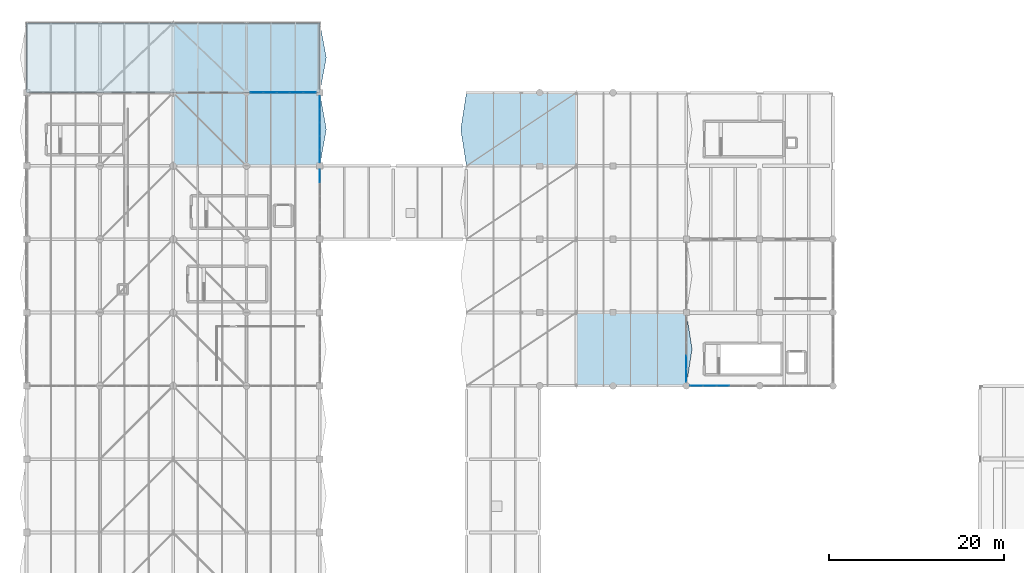
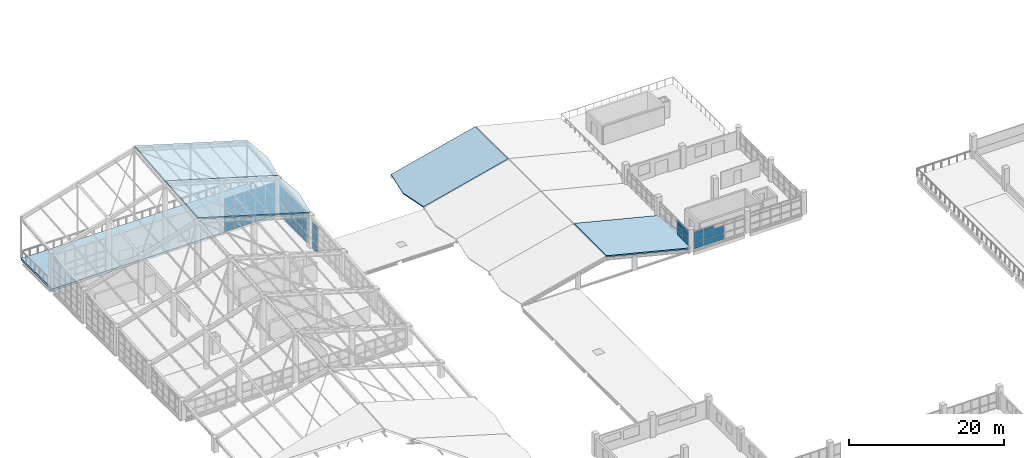
# One storey, part 70 of 95: 58 plates, 5 slabs, 5 elements without a shape of their own.
"""IFC4 building model written with IfcOpenShell, lengths in metres."""

from ifc_helpers import new_model, si_unit, direction, frame, origin, origin_2d, place, context, subcontext, project, spatial, polyline, rectangle, outline, extrude, material, layer, layer_set, type_object, element, aggregate, save


model = new_model("IFC4")

# Units and contexts
model_context = context("Model", 3, precision=1e-05, world=origin(), true_north=direction((0.0, 1.0)))
body_context = subcontext(model_context, "Body", "Model", "MODEL_VIEW")
ifc_project = project(units=[si_unit("LENGTHUNIT", "METRE"), si_unit("AREAUNIT", "SQUARE_METRE"), si_unit("VOLUMEUNIT", "CUBIC_METRE"), si_unit("PLANEANGLEUNIT", "RADIAN"), si_unit("MASSUNIT", "GRAM", prefix="KILO"), si_unit("THERMODYNAMICTEMPERATUREUNIT", "KELVIN"), si_unit("POWERUNIT", "WATT")], contexts=[model_context])

# Site, building, storey
site_placement = place(None, origin())
site = spatial("IfcSite", under=ifc_project, at=site_placement, CompositionType="ELEMENT")
building_placement = place(site_placement, origin())
building = spatial("IfcBuilding", under=site, at=building_placement, Name="Mavoryth Pier Ferry Terminal", CompositionType="ELEMENT")
storey_placement = place(building_placement, frame((0.0, 0.0, 9.60009765625)))
storey = spatial("IfcBuildingStorey", under=building, at=storey_placement, Name="L02", CompositionType="ELEMENT", Elevation=9.60009765625)

# Curtain wall, plates
ifc_material_1 = material(Name="Anodised Aluminium and Solar-Control Low-E Glass", Category="aluminium")
ifc_layer_1 = layer(ifc_material_1, 0.159912109375, Name="Anodised Aluminium and Solar-Control Low-E Glass", Category="aluminium")
ifc_layer_set_1 = layer_set([ifc_layer_1], Name="Anodised Aluminium and Solar-Control Low-E Glass - CW-Arrivals-Mod1400")
curtain_wall_type_1 = type_object("IfcCurtainWallType", Name="CW-Arrivals-Mod1400", PredefinedType="USERDEFINED", material=ifc_layer_set_1)
curtain_wall_1_placement = place(storey_placement, origin())
curtain_wall_1 = element("IfcCurtainWall", 1, at=curtain_wall_1_placement, inside=storey, type_object=curtain_wall_type_1, Name="Curtain Wall CW-0222-072", ObjectType="UNITISED CURTAIN WALL", PredefinedType="USERDEFINED")
ifc_material_2 = material(Name="Solar-Control Low-E Laminated Double Glazing", Category="glass")
ifc_layer_2 = layer(ifc_material_2, 0.02392578125, Name="Solar-Control Low-E Laminated Double Glazing", Category="glass")
ifc_layer_set_2 = layer_set([ifc_layer_2], Name="Solar-Control Low-E Laminated Double Glazing - Panel-LowE-DGU-24")
plate_type_1 = type_object("IfcPlateType", Name="Panel-LowE-DGU-24", PredefinedType="CURTAIN_PANEL", material=ifc_layer_set_2)
plate_1_placement = place(storey_placement, frame((75.60009765625, 75.087890625, 0.059814453125), z_axis=(0.0, 0.0, 1.0), x_axis=(0.0, -1.0, 0.0)))
plate_1 = element("IfcPlate", 2, at=plate_1_placement, type_object=plate_type_1, Name="CW04 panel 4.1", PredefinedType="CURTAIN_PANEL", context=body_context, shape_type="SweptSolid", body=[
    extrude(rectangle(XDim=1.471923828125, YDim=0.02392578125, at=origin_2d()), origin(), (0.0, 0.0, 1.0), 0.9599609375),
])
plate_2_placement = place(storey_placement, frame((75.60009765625, 75.087890625, 1.080078125), z_axis=(0.0, 0.0, 1.0), x_axis=(0.0, -1.0, 0.0)))
plate_2 = element("IfcPlate", 3, at=plate_2_placement, type_object=plate_type_1, Name="CW04 panel 4.2", PredefinedType="CURTAIN_PANEL", context=body_context, shape_type="SweptSolid", body=[
    extrude(rectangle(XDim=1.471923828125, YDim=0.02392578125, at=origin_2d()), origin(), (0.0, 0.0, 1.0), 1.139892578125),
])
plate_3_placement = place(storey_placement, frame((75.60009765625, 75.087890625, 2.27978515625), z_axis=(0.0, 0.0, 1.0), x_axis=(0.0, -1.0, 0.0)))
plate_3 = element("IfcPlate", 4, at=plate_3_placement, type_object=plate_type_1, Name="CW04 panel 4.3", PredefinedType="CURTAIN_PANEL", context=body_context, shape_type="SweptSolid", body=[
    extrude(rectangle(XDim=1.471923828125, YDim=0.02392578125, at=origin_2d()), origin(), (0.0, 0.0, 1.0), 0.465087890625),
])
plate_4_placement = place(storey_placement, frame((75.60009765625, 73.571044921875, 0.059814453125), z_axis=(0.0, 0.0, 1.0), x_axis=(0.0, -1.0, 0.0)))
plate_4 = element("IfcPlate", 5, at=plate_4_placement, type_object=plate_type_1, Name="CW04 panel 5.1", PredefinedType="CURTAIN_PANEL", context=body_context, shape_type="SweptSolid", body=[
    extrude(rectangle(XDim=1.44189453125, YDim=0.02392578125, at=origin_2d()), origin(), (0.0, 0.0, 1.0), 0.9599609375),
])
plate_5_placement = place(storey_placement, frame((75.60009765625, 73.571044921875, 1.080078125), z_axis=(0.0, 0.0, 1.0), x_axis=(0.0, -1.0, 0.0)))
plate_5 = element("IfcPlate", 6, at=plate_5_placement, type_object=plate_type_1, Name="CW04 panel 5.2", PredefinedType="CURTAIN_PANEL", context=body_context, shape_type="SweptSolid", body=[
    extrude(rectangle(XDim=1.44189453125, YDim=0.02392578125, at=origin_2d()), origin(), (0.0, 0.0, 1.0), 1.139892578125),
])
plate_6_placement = place(storey_placement, frame((75.60009765625, 73.571044921875, 2.27978515625), z_axis=(0.0, 0.0, 1.0), x_axis=(0.0, -1.0, 0.0)))
plate_6 = element("IfcPlate", 7, at=plate_6_placement, type_object=plate_type_1, Name="CW04 panel 5.3", PredefinedType="CURTAIN_PANEL", context=body_context, shape_type="SweptSolid", body=[
    extrude(rectangle(XDim=1.44189453125, YDim=0.02392578125, at=origin_2d()), origin(), (0.0, 0.0, 1.0), 0.465087890625),
])
aggregate(curtain_wall_1, [plate_1, plate_2, plate_3, plate_4, plate_5, plate_6])

curtain_wall_2_placement = place(storey_placement, origin())
curtain_wall_2 = element("IfcCurtainWall", 8, at=curtain_wall_2_placement, inside=storey, type_object=curtain_wall_type_1, Name="Curtain Wall CW-0222-075", ObjectType="UNITISED CURTAIN WALL", PredefinedType="USERDEFINED")
plate_7_placement = place(storey_placement, frame((76.76708984375, 72.39990234375, 0.059814453125), z_axis=(0.0, 0.0, 1.0), x_axis=(1.0, 0.0, 0.0)))
plate_7 = element("IfcPlate", 9, at=plate_7_placement, type_object=plate_type_1, Name="CW04 panel 1.1", PredefinedType="CURTAIN_PANEL", context=body_context, shape_type="SweptSolid", body=[
    extrude(rectangle(XDim=1.43408203125, YDim=0.02392578125, at=origin_2d()), origin(), (0.0, 0.0, 1.0), 0.9599609375),
])
plate_8_placement = place(storey_placement, frame((76.76708984375, 72.39990234375, 1.080078125), z_axis=(0.0, 0.0, 1.0), x_axis=(1.0, 0.0, 0.0)))
plate_8 = element("IfcPlate", 10, at=plate_8_placement, type_object=plate_type_1, Name="CW04 panel 1.2", PredefinedType="CURTAIN_PANEL", context=body_context, shape_type="SweptSolid", body=[
    extrude(rectangle(XDim=1.43408203125, YDim=0.02392578125, at=origin_2d()), origin(), (0.0, 0.0, 1.0), 1.139892578125),
])
plate_9_placement = place(storey_placement, frame((76.76708984375, 72.39990234375, 2.27978515625), z_axis=(0.0, 0.0, 1.0), x_axis=(1.0, 0.0, 0.0)))
plate_9 = element("IfcPlate", 11, at=plate_9_placement, type_object=plate_type_1, Name="CW04 panel 1.3", PredefinedType="CURTAIN_PANEL", context=body_context, shape_type="SweptSolid", body=[
    extrude(rectangle(XDim=1.43408203125, YDim=0.02392578125, at=origin_2d()), origin(), (0.0, 0.0, 1.0), 0.465087890625),
])
plate_10_placement = place(storey_placement, frame((78.27587890625, 72.39990234375, 0.059814453125), z_axis=(0.0, 0.0, 1.0), x_axis=(1.0, 0.0, 0.0)))
plate_10 = element("IfcPlate", 12, at=plate_10_placement, type_object=plate_type_1, Name="CW04 panel 2.1", PredefinedType="CURTAIN_PANEL", context=body_context, shape_type="SweptSolid", body=[
    extrude(rectangle(XDim=1.464111328125, YDim=0.02392578125, at=origin_2d()), origin(), (0.0, 0.0, 1.0), 0.9599609375),
])
plate_11_placement = place(storey_placement, frame((78.27587890625, 72.39990234375, 1.080078125), z_axis=(0.0, 0.0, 1.0), x_axis=(1.0, 0.0, 0.0)))
plate_11 = element("IfcPlate", 13, at=plate_11_placement, type_object=plate_type_1, Name="CW04 panel 2.2", PredefinedType="CURTAIN_PANEL", context=body_context, shape_type="SweptSolid", body=[
    extrude(rectangle(XDim=1.464111328125, YDim=0.02392578125, at=origin_2d()), origin(), (0.0, 0.0, 1.0), 1.139892578125),
])
plate_12_placement = place(storey_placement, frame((78.27587890625, 72.39990234375, 2.27978515625), z_axis=(0.0, 0.0, 1.0), x_axis=(1.0, 0.0, 0.0)))
plate_12 = element("IfcPlate", 14, at=plate_12_placement, type_object=plate_type_1, Name="CW04 panel 2.3", PredefinedType="CURTAIN_PANEL", context=body_context, shape_type="SweptSolid", body=[
    extrude(rectangle(XDim=1.464111328125, YDim=0.02392578125, at=origin_2d()), origin(), (0.0, 0.0, 1.0), 0.465087890625),
])
plate_13_placement = place(storey_placement, frame((79.800048828125, 72.39990234375, 0.059814453125), z_axis=(0.0, 0.0, 1.0), x_axis=(1.0, 0.0, 0.0)))
plate_13 = element("IfcPlate", 15, at=plate_13_placement, type_object=plate_type_1, Name="CW04 panel 3.1", PredefinedType="CURTAIN_PANEL", context=body_context, shape_type="SweptSolid", body=[
    extrude(rectangle(XDim=1.464111328125, YDim=0.02392578125, at=origin_2d()), origin(), (0.0, 0.0, 1.0), 0.9599609375),
])
plate_14_placement = place(storey_placement, frame((79.800048828125, 72.39990234375, 1.080078125), z_axis=(0.0, 0.0, 1.0), x_axis=(1.0, 0.0, 0.0)))
plate_14 = element("IfcPlate", 16, at=plate_14_placement, type_object=plate_type_1, Name="CW04 panel 3.2", PredefinedType="CURTAIN_PANEL", context=body_context, shape_type="SweptSolid", body=[
    extrude(rectangle(XDim=1.464111328125, YDim=0.02392578125, at=origin_2d()), origin(), (0.0, 0.0, 1.0), 1.139892578125),
])
aggregate(curtain_wall_2, [plate_7, plate_8, plate_9, plate_10, plate_11, plate_12, plate_13, plate_14])

ifc_layer_3 = layer(ifc_material_1, 0.179931640625, Name="Anodised Aluminium and Solar-Control Low-E Glass", Category="aluminium")
ifc_layer_set_3 = layer_set([ifc_layer_3], Name="Anodised Aluminium and Solar-Control Low-E Glass - CW-Concourse-Mod1400")
curtain_wall_type_2 = type_object("IfcCurtainWallType", Name="CW-Concourse-Mod1400", PredefinedType="USERDEFINED", material=ifc_layer_set_3)
curtain_wall_3_placement = place(storey_placement, origin())
curtain_wall_3 = element("IfcCurtainWall", 17, at=curtain_wall_3_placement, inside=storey, type_object=curtain_wall_type_2, Name="Curtain Wall CW-0222-029", ObjectType="UNITISED CURTAIN WALL", PredefinedType="USERDEFINED")
ifc_material_3 = material(Name="Acoustic Solar-Control Triple-Laminated Glazing", Category="glass")
ifc_layer_4 = layer(ifc_material_3, 0.033935546875, Name="Acoustic Solar-Control Triple-Laminated Glazing", Category="glass")
ifc_layer_set_4 = layer_set([ifc_layer_4], Name="Acoustic Solar-Control Triple-Laminated Glazing - Panel-LowE-DGU-34")
plate_type_2 = type_object("IfcPlateType", Name="Panel-LowE-DGU-34", PredefinedType="CURTAIN_PANEL", material=ifc_layer_set_4)
plate_15_placement = place(storey_placement, frame((33.60009765625, 96.445068359375, 0.059814453125), z_axis=(0.0, 0.0, 1.0), x_axis=(0.0, 1.0, 0.0)))
plate_15 = element("IfcPlate", 18, at=plate_15_placement, type_object=plate_type_2, Name="CW01 panel 5.1", PredefinedType="CURTAIN_PANEL", context=body_context, shape_type="SweptSolid", body=[
    extrude(rectangle(XDim=1.43994140625, YDim=0.033935546875, at=origin_2d()), origin(), (0.0, 0.0, 1.0), 0.9599609375),
])
plate_16_placement = place(storey_placement, frame((33.60009765625, 96.445068359375, 1.080078125), z_axis=(0.0, 0.0, 1.0), x_axis=(0.0, 1.0, 0.0)))
plate_16 = element("IfcPlate", 19, at=plate_16_placement, type_object=plate_type_2, Name="CW01 panel 5.2", PredefinedType="CURTAIN_PANEL", context=body_context, shape_type="SweptSolid", body=[
    extrude(rectangle(XDim=1.43994140625, YDim=0.033935546875, at=origin_2d()), origin(), (0.0, 0.0, 1.0), 1.139892578125),
])
plate_17_placement = place(storey_placement, frame((33.60009765625, 96.445068359375, 2.27978515625), z_axis=(0.0, 0.0, 1.0), x_axis=(0.0, 1.0, 0.0)))
plate_17 = element("IfcPlate", 20, at=plate_17_placement, type_object=plate_type_2, Name="CW01 panel 5.3", PredefinedType="CURTAIN_PANEL", context=body_context, shape_type="SweptSolid", body=[
    extrude(rectangle(XDim=1.43994140625, YDim=0.033935546875, at=origin_2d()), origin(), (0.0, 0.0, 1.0), 0.989990234375),
])
plate_18_placement = place(storey_placement, frame((33.60009765625, 96.445068359375, 3.330078125), z_axis=(0.0, 0.0, 1.0), x_axis=(0.0, 1.0, 0.0)))
plate_18 = element("IfcPlate", 21, at=plate_18_placement, type_object=plate_type_2, Name="CW01 panel 5.4", PredefinedType="CURTAIN_PANEL", context=body_context, shape_type="SweptSolid", body=[
    extrude(rectangle(XDim=1.43994140625, YDim=0.033935546875, at=origin_2d()), origin(), (0.0, 0.0, 1.0), 0.831787109375),
])
aggregate(curtain_wall_3, [plate_15, plate_16, plate_17, plate_18])

curtain_wall_4_placement = place(storey_placement, origin())
curtain_wall_4 = element("IfcCurtainWall", 22, at=curtain_wall_4_placement, inside=storey, type_object=curtain_wall_type_2, Name="Curtain Wall CW-0222-035", ObjectType="UNITISED CURTAIN WALL", PredefinedType="USERDEFINED")
plate_19_placement = place(storey_placement, frame((33.60009765625, 98.7548828125, 0.059814453125), z_axis=(0.0, 0.0, 1.0), x_axis=(0.0, 1.0, 0.0)))
plate_19 = element("IfcPlate", 23, at=plate_19_placement, type_object=plate_type_2, Name="CW01 panel 1.1", PredefinedType="CURTAIN_PANEL", context=body_context, shape_type="SweptSolid", body=[
    extrude(rectangle(XDim=1.43994140625, YDim=0.033935546875, at=origin_2d()), origin(), (0.0, 0.0, 1.0), 0.9599609375),
])
plate_20_placement = place(storey_placement, frame((33.60009765625, 98.7548828125, 1.080078125), z_axis=(0.0, 0.0, 1.0), x_axis=(0.0, 1.0, 0.0)))
plate_20 = element("IfcPlate", 24, at=plate_20_placement, type_object=plate_type_2, Name="CW01 panel 1.2", PredefinedType="CURTAIN_PANEL", context=body_context, shape_type="SweptSolid", body=[
    extrude(rectangle(XDim=1.43994140625, YDim=0.033935546875, at=origin_2d()), origin(), (0.0, 0.0, 1.0), 1.139892578125),
])
plate_21_placement = place(storey_placement, frame((33.60009765625, 98.7548828125, 2.27978515625), z_axis=(0.0, 0.0, 1.0), x_axis=(0.0, 1.0, 0.0)))
plate_21 = element("IfcPlate", 25, at=plate_21_placement, type_object=plate_type_2, Name="CW01 panel 1.3", PredefinedType="CURTAIN_PANEL", context=body_context, shape_type="SweptSolid", body=[
    extrude(rectangle(XDim=1.43994140625, YDim=0.033935546875, at=origin_2d()), origin(), (0.0, 0.0, 1.0), 0.989990234375),
])
plate_22_placement = place(storey_placement, frame((33.60009765625, 98.7548828125, 3.330078125), z_axis=(0.0, 0.0, 1.0), x_axis=(0.0, 1.0, 0.0)))
plate_22 = element("IfcPlate", 26, at=plate_22_placement, type_object=plate_type_2, Name="CW01 panel 1.4", PredefinedType="CURTAIN_PANEL", context=body_context, shape_type="SweptSolid", body=[
    extrude(rectangle(XDim=1.43994140625, YDim=0.033935546875, at=origin_2d()), origin(), (0.0, 0.0, 1.0), 1.546142578125),
])
plate_23_placement = place(storey_placement, frame((33.60009765625, 100.27001953125, 0.059814453125), z_axis=(0.0, 0.0, 1.0), x_axis=(0.0, 1.0, 0.0)))
plate_23 = element("IfcPlate", 27, at=plate_23_placement, type_object=plate_type_2, Name="CW01 panel 2.1", PredefinedType="CURTAIN_PANEL", context=body_context, shape_type="SweptSolid", body=[
    extrude(rectangle(XDim=1.469970703125, YDim=0.033935546875, at=origin_2d()), origin(), (0.0, 0.0, 1.0), 0.9599609375),
])
plate_24_placement = place(storey_placement, frame((33.60009765625, 100.27001953125, 1.080078125), z_axis=(0.0, 0.0, 1.0), x_axis=(0.0, 1.0, 0.0)))
plate_24 = element("IfcPlate", 28, at=plate_24_placement, type_object=plate_type_2, Name="CW01 panel 2.2", PredefinedType="CURTAIN_PANEL", context=body_context, shape_type="SweptSolid", body=[
    extrude(rectangle(XDim=1.469970703125, YDim=0.033935546875, at=origin_2d()), origin(), (0.0, 0.0, 1.0), 1.139892578125),
])
plate_25_placement = place(storey_placement, frame((33.60009765625, 100.27001953125, 2.27978515625), z_axis=(0.0, 0.0, 1.0), x_axis=(0.0, 1.0, 0.0)))
plate_25 = element("IfcPlate", 29, at=plate_25_placement, type_object=plate_type_2, Name="CW01 panel 2.3", PredefinedType="CURTAIN_PANEL", context=body_context, shape_type="SweptSolid", body=[
    extrude(rectangle(XDim=1.469970703125, YDim=0.033935546875, at=origin_2d()), origin(), (0.0, 0.0, 1.0), 0.989990234375),
])
plate_26_placement = place(storey_placement, frame((33.60009765625, 100.27001953125, 3.330078125), z_axis=(0.0, 0.0, 1.0), x_axis=(0.0, 1.0, 0.0)))
plate_26 = element("IfcPlate", 30, at=plate_26_placement, type_object=plate_type_2, Name="CW01 panel 2.4", PredefinedType="CURTAIN_PANEL", context=body_context, shape_type="SweptSolid", body=[
    extrude(rectangle(XDim=1.469970703125, YDim=0.033935546875, at=origin_2d()), origin(), (0.0, 0.0, 1.0), 1.546142578125),
])
plate_27_placement = place(storey_placement, frame((33.60009765625, 101.800048828125, 0.059814453125), z_axis=(0.0, 0.0, 1.0), x_axis=(0.0, 1.0, 0.0)))
plate_27 = element("IfcPlate", 31, at=plate_27_placement, type_object=plate_type_2, Name="CW01 panel 3.1", PredefinedType="CURTAIN_PANEL", context=body_context, shape_type="SweptSolid", body=[
    extrude(rectangle(XDim=1.469970703125, YDim=0.033935546875, at=origin_2d()), origin(), (0.0, 0.0, 1.0), 0.9599609375),
])
plate_28_placement = place(storey_placement, frame((33.60009765625, 101.800048828125, 1.080078125), z_axis=(0.0, 0.0, 1.0), x_axis=(0.0, 1.0, 0.0)))
plate_28 = element("IfcPlate", 32, at=plate_28_placement, type_object=plate_type_2, Name="CW01 panel 3.2", PredefinedType="CURTAIN_PANEL", context=body_context, shape_type="SweptSolid", body=[
    extrude(rectangle(XDim=1.469970703125, YDim=0.033935546875, at=origin_2d()), origin(), (0.0, 0.0, 1.0), 1.139892578125),
])
plate_29_placement = place(storey_placement, frame((33.60009765625, 101.800048828125, 2.27978515625), z_axis=(0.0, 0.0, 1.0), x_axis=(0.0, 1.0, 0.0)))
plate_29 = element("IfcPlate", 33, at=plate_29_placement, type_object=plate_type_2, Name="CW01 panel 3.3", PredefinedType="CURTAIN_PANEL", context=body_context, shape_type="SweptSolid", body=[
    extrude(rectangle(XDim=1.469970703125, YDim=0.033935546875, at=origin_2d()), origin(), (0.0, 0.0, 1.0), 0.989990234375),
])
plate_30_placement = place(storey_placement, frame((33.60009765625, 101.800048828125, 3.330078125), z_axis=(0.0, 0.0, 1.0), x_axis=(0.0, 1.0, 0.0)))
plate_30 = element("IfcPlate", 34, at=plate_30_placement, type_object=plate_type_2, Name="CW01 panel 3.4", PredefinedType="CURTAIN_PANEL", context=body_context, shape_type="SweptSolid", body=[
    extrude(rectangle(XDim=1.469970703125, YDim=0.033935546875, at=origin_2d()), origin(), (0.0, 0.0, 1.0), 1.546142578125),
])
plate_31_placement = place(storey_placement, frame((33.60009765625, 103.330078125, 0.059814453125), z_axis=(0.0, 0.0, 1.0), x_axis=(0.0, 1.0, 0.0)))
plate_31 = element("IfcPlate", 35, at=plate_31_placement, type_object=plate_type_2, Name="CW01 panel 4.1", PredefinedType="CURTAIN_PANEL", context=body_context, shape_type="SweptSolid", body=[
    extrude(rectangle(XDim=1.469970703125, YDim=0.033935546875, at=origin_2d()), origin(), (0.0, 0.0, 1.0), 0.9599609375),
])
plate_32_placement = place(storey_placement, frame((33.60009765625, 103.330078125, 1.080078125), z_axis=(0.0, 0.0, 1.0), x_axis=(0.0, 1.0, 0.0)))
plate_32 = element("IfcPlate", 36, at=plate_32_placement, type_object=plate_type_2, Name="CW01 panel 4.2", PredefinedType="CURTAIN_PANEL", context=body_context, shape_type="SweptSolid", body=[
    extrude(rectangle(XDim=1.469970703125, YDim=0.033935546875, at=origin_2d()), origin(), (0.0, 0.0, 1.0), 1.139892578125),
])
plate_33_placement = place(storey_placement, frame((33.60009765625, 103.330078125, 2.27978515625), z_axis=(0.0, 0.0, 1.0), x_axis=(0.0, 1.0, 0.0)))
plate_33 = element("IfcPlate", 37, at=plate_33_placement, type_object=plate_type_2, Name="CW01 panel 4.3", PredefinedType="CURTAIN_PANEL", context=body_context, shape_type="SweptSolid", body=[
    extrude(rectangle(XDim=1.469970703125, YDim=0.033935546875, at=origin_2d()), origin(), (0.0, 0.0, 1.0), 0.989990234375),
])
plate_34_placement = place(storey_placement, frame((33.60009765625, 103.330078125, 3.330078125), z_axis=(0.0, 0.0, 1.0), x_axis=(0.0, 1.0, 0.0)))
plate_34 = element("IfcPlate", 38, at=plate_34_placement, type_object=plate_type_2, Name="CW01 panel 4.4", PredefinedType="CURTAIN_PANEL", context=body_context, shape_type="SweptSolid", body=[
    extrude(rectangle(XDim=1.469970703125, YDim=0.033935546875, at=origin_2d()), origin(), (0.0, 0.0, 1.0), 1.546142578125),
])
plate_35_placement = place(storey_placement, frame((33.60009765625, 104.844970703125, 0.059814453125), z_axis=(0.0, 0.0, 1.0), x_axis=(0.0, 1.0, 0.0)))
plate_35 = element("IfcPlate", 39, at=plate_35_placement, type_object=plate_type_2, Name="CW01 panel 5.1", PredefinedType="CURTAIN_PANEL", context=body_context, shape_type="SweptSolid", body=[
    extrude(rectangle(XDim=1.43994140625, YDim=0.033935546875, at=origin_2d()), origin(), (0.0, 0.0, 1.0), 0.9599609375),
])
plate_36_placement = place(storey_placement, frame((33.60009765625, 104.844970703125, 1.080078125), z_axis=(0.0, 0.0, 1.0), x_axis=(0.0, 1.0, 0.0)))
plate_36 = element("IfcPlate", 40, at=plate_36_placement, type_object=plate_type_2, Name="CW01 panel 5.2", PredefinedType="CURTAIN_PANEL", context=body_context, shape_type="SweptSolid", body=[
    extrude(rectangle(XDim=1.43994140625, YDim=0.033935546875, at=origin_2d()), origin(), (0.0, 0.0, 1.0), 1.139892578125),
])
plate_37_placement = place(storey_placement, frame((33.60009765625, 104.844970703125, 2.27978515625), z_axis=(0.0, 0.0, 1.0), x_axis=(0.0, 1.0, 0.0)))
plate_37 = element("IfcPlate", 41, at=plate_37_placement, type_object=plate_type_2, Name="CW01 panel 5.3", PredefinedType="CURTAIN_PANEL", context=body_context, shape_type="SweptSolid", body=[
    extrude(rectangle(XDim=1.43994140625, YDim=0.033935546875, at=origin_2d()), origin(), (0.0, 0.0, 1.0), 0.989990234375),
])
plate_38_placement = place(storey_placement, frame((33.60009765625, 104.844970703125, 3.330078125), z_axis=(0.0, 0.0, 1.0), x_axis=(0.0, 1.0, 0.0)))
plate_38 = element("IfcPlate", 42, at=plate_38_placement, type_object=plate_type_2, Name="CW01 panel 5.4", PredefinedType="CURTAIN_PANEL", context=body_context, shape_type="SweptSolid", body=[
    extrude(rectangle(XDim=1.43994140625, YDim=0.033935546875, at=origin_2d()), origin(), (0.0, 0.0, 1.0), 1.546142578125),
])
aggregate(curtain_wall_4, [plate_19, plate_20, plate_21, plate_22, plate_23, plate_24, plate_25, plate_26, plate_27, plate_28, plate_29, plate_30, plate_31, plate_32, plate_33, plate_34, plate_35, plate_36, plate_37, plate_38])

ifc_layer_5 = layer(ifc_material_1, 0.219970703125, Name="Anodised Aluminium and Solar-Control Low-E Glass", Category="aluminium")
ifc_layer_set_5 = layer_set([ifc_layer_5], Name="Anodised Aluminium and Solar-Control Low-E Glass - CW-Seaward-Tall-Mod1400")
curtain_wall_type_3 = type_object("IfcCurtainWallType", Name="CW-Seaward-Tall-Mod1400", PredefinedType="USERDEFINED", material=ifc_layer_set_5)
curtain_wall_5_placement = place(storey_placement, origin())
curtain_wall_5 = element("IfcCurtainWall", 43, at=curtain_wall_5_placement, inside=storey, type_object=curtain_wall_type_3, Name="Curtain Wall CW-0254-047", ObjectType="UNITISED CURTAIN WALL", PredefinedType="USERDEFINED")
plate_39_placement = place(storey_placement, frame((32.44287109375, 106.0, 0.06982421875), z_axis=(0.0, 0.0, 1.0), x_axis=(-1.0, 0.0, 0.0)))
plate_39 = element("IfcPlate", 44, at=plate_39_placement, type_object=plate_type_2, Name="CW03 panel 1.1", PredefinedType="CURTAIN_PANEL", context=body_context, shape_type="SweptSolid", body=[
    extrude(rectangle(XDim=1.41455078125, YDim=0.033935546875, at=origin_2d()), origin(), (0.0, 0.0, 1.0), 0.945068359375),
])
plate_40_placement = place(storey_placement, frame((32.44287109375, 106.0, 1.0849609375), z_axis=(0.0, 0.0, 1.0), x_axis=(-1.0, 0.0, 0.0)))
plate_40 = element("IfcPlate", 45, at=plate_40_placement, type_object=plate_type_2, Name="CW03 panel 1.2", PredefinedType="CURTAIN_PANEL", context=body_context, shape_type="SweptSolid", body=[
    extrude(rectangle(XDim=1.41455078125, YDim=0.033935546875, at=origin_2d()), origin(), (0.0, 0.0, 1.0), 1.1298828125),
])
plate_41_placement = place(storey_placement, frame((32.44287109375, 106.0, 2.284912109375), z_axis=(0.0, 0.0, 1.0), x_axis=(-1.0, 0.0, 0.0)))
plate_41 = element("IfcPlate", 46, at=plate_41_placement, type_object=plate_type_2, Name="CW03 panel 1.3", PredefinedType="CURTAIN_PANEL", context=body_context, shape_type="SweptSolid", body=[
    extrude(rectangle(XDim=1.41455078125, YDim=0.033935546875, at=origin_2d()), origin(), (0.0, 0.0, 1.0), 0.97998046875),
])
plate_42_placement = place(storey_placement, frame((32.44287109375, 106.0, 3.3349609375), z_axis=(0.0, 0.0, 1.0), x_axis=(-1.0, 0.0, 0.0)))
plate_42 = element("IfcPlate", 47, at=plate_42_placement, type_object=plate_type_2, Name="CW03 panel 1.4", PredefinedType="CURTAIN_PANEL", context=body_context, shape_type="SweptSolid", body=[
    extrude(rectangle(XDim=1.41455078125, YDim=0.033935546875, at=origin_2d()), origin(), (0.0, 0.0, 1.0), 1.88818359375),
])
plate_43_placement = place(storey_placement, frame((30.9345703125, 106.0, 0.06982421875), z_axis=(0.0, 0.0, 1.0), x_axis=(-1.0, 0.0, 0.0)))
plate_43 = element("IfcPlate", 48, at=plate_43_placement, type_object=plate_type_2, Name="CW03 panel 2.1", PredefinedType="CURTAIN_PANEL", context=body_context, shape_type="SweptSolid", body=[
    extrude(rectangle(XDim=1.451904296875, YDim=0.033935546875, at=origin_2d()), origin(), (0.0, 0.0, 1.0), 0.945068359375),
])
plate_44_placement = place(storey_placement, frame((30.9345703125, 106.0, 1.0849609375), z_axis=(0.0, 0.0, 1.0), x_axis=(-1.0, 0.0, 0.0)))
plate_44 = element("IfcPlate", 49, at=plate_44_placement, type_object=plate_type_2, Name="CW03 panel 2.2", PredefinedType="CURTAIN_PANEL", context=body_context, shape_type="SweptSolid", body=[
    extrude(rectangle(XDim=1.451904296875, YDim=0.033935546875, at=origin_2d()), origin(), (0.0, 0.0, 1.0), 1.1298828125),
])
plate_45_placement = place(storey_placement, frame((30.9345703125, 106.0, 2.284912109375), z_axis=(0.0, 0.0, 1.0), x_axis=(-1.0, 0.0, 0.0)))
plate_45 = element("IfcPlate", 50, at=plate_45_placement, type_object=plate_type_2, Name="CW03 panel 2.3", PredefinedType="CURTAIN_PANEL", context=body_context, shape_type="SweptSolid", body=[
    extrude(rectangle(XDim=1.451904296875, YDim=0.033935546875, at=origin_2d()), origin(), (0.0, 0.0, 1.0), 0.97998046875),
])
plate_46_placement = place(storey_placement, frame((30.9345703125, 106.0, 3.3349609375), z_axis=(0.0, 0.0, 1.0), x_axis=(-1.0, 0.0, 0.0)))
plate_46 = element("IfcPlate", 51, at=plate_46_placement, type_object=plate_type_2, Name="CW03 panel 2.4", PredefinedType="CURTAIN_PANEL", context=body_context, shape_type="SweptSolid", body=[
    extrude(rectangle(XDim=1.451904296875, YDim=0.033935546875, at=origin_2d()), origin(), (0.0, 0.0, 1.0), 1.88818359375),
])
plate_47_placement = place(storey_placement, frame((29.407470703125, 106.0, 0.06982421875), z_axis=(0.0, 0.0, 1.0), x_axis=(-1.0, 0.0, 0.0)))
plate_47 = element("IfcPlate", 52, at=plate_47_placement, type_object=plate_type_2, Name="CW03 panel 3.1", PredefinedType="CURTAIN_PANEL", context=body_context, shape_type="SweptSolid", body=[
    extrude(rectangle(XDim=1.451904296875, YDim=0.033935546875, at=origin_2d()), origin(), (0.0, 0.0, 1.0), 0.945068359375),
])
plate_48_placement = place(storey_placement, frame((29.407470703125, 106.0, 1.0849609375), z_axis=(0.0, 0.0, 1.0), x_axis=(-1.0, 0.0, 0.0)))
plate_48 = element("IfcPlate", 53, at=plate_48_placement, type_object=plate_type_2, Name="CW03 panel 3.2", PredefinedType="CURTAIN_PANEL", context=body_context, shape_type="SweptSolid", body=[
    extrude(rectangle(XDim=1.451904296875, YDim=0.033935546875, at=origin_2d()), origin(), (0.0, 0.0, 1.0), 1.1298828125),
])
plate_49_placement = place(storey_placement, frame((29.407470703125, 106.0, 2.284912109375), z_axis=(0.0, 0.0, 1.0), x_axis=(-1.0, 0.0, 0.0)))
plate_49 = element("IfcPlate", 54, at=plate_49_placement, type_object=plate_type_2, Name="CW03 panel 3.3", PredefinedType="CURTAIN_PANEL", context=body_context, shape_type="SweptSolid", body=[
    extrude(rectangle(XDim=1.451904296875, YDim=0.033935546875, at=origin_2d()), origin(), (0.0, 0.0, 1.0), 0.97998046875),
])
plate_50_placement = place(storey_placement, frame((29.407470703125, 106.0, 3.3349609375), z_axis=(0.0, 0.0, 1.0), x_axis=(-1.0, 0.0, 0.0)))
plate_50 = element("IfcPlate", 55, at=plate_50_placement, type_object=plate_type_2, Name="CW03 panel 3.4", PredefinedType="CURTAIN_PANEL", context=body_context, shape_type="SweptSolid", body=[
    extrude(rectangle(XDim=1.451904296875, YDim=0.033935546875, at=origin_2d()), origin(), (0.0, 0.0, 1.0), 1.88818359375),
])
plate_51_placement = place(storey_placement, frame((27.880615234375, 106.0, 0.06982421875), z_axis=(0.0, 0.0, 1.0), x_axis=(-1.0, 0.0, 0.0)))
plate_51 = element("IfcPlate", 56, at=plate_51_placement, type_object=plate_type_2, Name="CW03 panel 4.1", PredefinedType="CURTAIN_PANEL", context=body_context, shape_type="SweptSolid", body=[
    extrude(rectangle(XDim=1.451904296875, YDim=0.033935546875, at=origin_2d()), origin(), (0.0, 0.0, 1.0), 0.945068359375),
])
plate_52_placement = place(storey_placement, frame((27.880615234375, 106.0, 1.0849609375), z_axis=(0.0, 0.0, 1.0), x_axis=(-1.0, 0.0, 0.0)))
plate_52 = element("IfcPlate", 57, at=plate_52_placement, type_object=plate_type_2, Name="CW03 panel 4.2", PredefinedType="CURTAIN_PANEL", context=body_context, shape_type="SweptSolid", body=[
    extrude(rectangle(XDim=1.451904296875, YDim=0.033935546875, at=origin_2d()), origin(), (0.0, 0.0, 1.0), 1.1298828125),
])
plate_53_placement = place(storey_placement, frame((27.880615234375, 106.0, 2.284912109375), z_axis=(0.0, 0.0, 1.0), x_axis=(-1.0, 0.0, 0.0)))
plate_53 = element("IfcPlate", 58, at=plate_53_placement, type_object=plate_type_2, Name="CW03 panel 4.3", PredefinedType="CURTAIN_PANEL", context=body_context, shape_type="SweptSolid", body=[
    extrude(rectangle(XDim=1.451904296875, YDim=0.033935546875, at=origin_2d()), origin(), (0.0, 0.0, 1.0), 0.97998046875),
])
plate_54_placement = place(storey_placement, frame((27.880615234375, 106.0, 3.3349609375), z_axis=(0.0, 0.0, 1.0), x_axis=(-1.0, 0.0, 0.0)))
plate_54 = element("IfcPlate", 59, at=plate_54_placement, type_object=plate_type_2, Name="CW03 panel 4.4", PredefinedType="CURTAIN_PANEL", context=body_context, shape_type="SweptSolid", body=[
    extrude(rectangle(XDim=1.451904296875, YDim=0.033935546875, at=origin_2d()), origin(), (0.0, 0.0, 1.0), 1.88818359375),
])
plate_55_placement = place(storey_placement, frame((26.372314453125, 106.0, 0.06982421875), z_axis=(0.0, 0.0, 1.0), x_axis=(-1.0, 0.0, 0.0)))
plate_55 = element("IfcPlate", 60, at=plate_55_placement, type_object=plate_type_2, Name="CW03 panel 5.1", PredefinedType="CURTAIN_PANEL", context=body_context, shape_type="SweptSolid", body=[
    extrude(rectangle(XDim=1.41455078125, YDim=0.033935546875, at=origin_2d()), origin(), (0.0, 0.0, 1.0), 0.945068359375),
])
plate_56_placement = place(storey_placement, frame((26.372314453125, 106.0, 1.0849609375), z_axis=(0.0, 0.0, 1.0), x_axis=(-1.0, 0.0, 0.0)))
plate_56 = element("IfcPlate", 61, at=plate_56_placement, type_object=plate_type_2, Name="CW03 panel 5.2", PredefinedType="CURTAIN_PANEL", context=body_context, shape_type="SweptSolid", body=[
    extrude(rectangle(XDim=1.41455078125, YDim=0.033935546875, at=origin_2d()), origin(), (0.0, 0.0, 1.0), 1.1298828125),
])
plate_57_placement = place(storey_placement, frame((26.372314453125, 106.0, 2.284912109375), z_axis=(0.0, 0.0, 1.0), x_axis=(-1.0, 0.0, 0.0)))
plate_57 = element("IfcPlate", 62, at=plate_57_placement, type_object=plate_type_2, Name="CW03 panel 5.3", PredefinedType="CURTAIN_PANEL", context=body_context, shape_type="SweptSolid", body=[
    extrude(rectangle(XDim=1.41455078125, YDim=0.033935546875, at=origin_2d()), origin(), (0.0, 0.0, 1.0), 0.97998046875),
])
plate_58_placement = place(storey_placement, frame((26.372314453125, 106.0, 3.3349609375), z_axis=(0.0, 0.0, 1.0), x_axis=(-1.0, 0.0, 0.0)))
plate_58 = element("IfcPlate", 63, at=plate_58_placement, type_object=plate_type_2, Name="CW03 panel 5.4", PredefinedType="CURTAIN_PANEL", context=body_context, shape_type="SweptSolid", body=[
    extrude(rectangle(XDim=1.41455078125, YDim=0.033935546875, at=origin_2d()), origin(), (0.0, 0.0, 1.0), 1.88818359375),
])
aggregate(curtain_wall_5, [plate_39, plate_40, plate_41, plate_42, plate_43, plate_44, plate_45, plate_46, plate_47, plate_48, plate_49, plate_50, plate_51, plate_52, plate_53, plate_54, plate_55, plate_56, plate_57, plate_58])

# Slabs
ifc_material_4 = material(Name="Concrete C35/45", Category="concrete")
ifc_layer_6 = layer(ifc_material_4, 0.219970703125, Name="Concrete C35/45", Category="concrete")
ifc_layer_set_6 = layer_set([ifc_layer_6], Name="Concrete C35/45 - Slab-Roof-FoldedV1-220")
slab_type_1 = type_object("IfcSlabType", Name="Slab-Roof-FoldedV1-220", PredefinedType="ROOF", material=ifc_layer_set_6)
slab_1_placement = place(storey_placement, frame((16.867919921875, 97.60009765625, 10.4052734375), z_axis=(0.284129428268, -0.081245058374, 0.955337484077), x_axis=(0.958506160351, 1.89107e-07, -0.285071816512)))
element("IfcSlab", 64, at=slab_1_placement, inside=storey, type_object=slab_type_1, Name="Departure Folded Roof East Bay 10", PredefinedType="ROOF", context=body_context, shape_type="SweptSolid", body=[
    extrude(outline(polyline([(0.0, 0.0), (17.45650354873267, -5.551115123125783e-17), (18.137174874547455, 4.213874854013092), (17.25286252609967, 8.427763253329482), (-0.20364102263300257, 8.427763253329482), (0.0, 0.0)])), origin(), (0.0, 0.0, -1.0), 0.219970703125),
])
slab_2_placement = place(storey_placement, frame((16.867919921875, 106.0, 11.11962890625), z_axis=(0.284129898686, -0.081224811928, 0.955339065777), x_axis=(0.958506160349, 1.8906e-07, -0.285071816519)))
element("IfcSlab", 65, at=slab_2_placement, inside=storey, type_object=slab_type_1, Name="Departure Folded Roof East Bay 11", PredefinedType="ROOF", context=body_context, shape_type="SweptSolid", body=[
    extrude(outline(polyline([(0.0, 0.0), (17.45650354873267, 0.0), (18.142046669347287, 4.013253838530033), (17.262606115699334, 8.026521218987845), (-0.19389743303333737, 8.026521218987845), (0.0, 0.0)])), origin(), (0.0, 0.0, -1.0), 0.219970703125),
])
ifc_layer_7 = layer(ifc_material_4, 0.199951171875, Name="Concrete C35/45", Category="concrete")
ifc_layer_set_7 = layer_set([ifc_layer_7], Name="Concrete C35/45 - Slab-Roof-PitchedV2-200")
slab_type_2 = type_object("IfcSlabType", Name="Slab-Roof-PitchedV2-200", PredefinedType="ROOF", material=ifc_layer_set_7)
slab_3_placement = place(storey_placement, frame((63.05810546875, 72.39990234375, 3.54150390625), z_axis=(0.242981664779, 0.0, 0.970030881251), x_axis=(0.970030881251, 0.0, -0.242981664779)))
element("IfcSlab", 66, at=slab_3_placement, inside=storey, type_object=slab_type_2, Name="Arrivals Roof East Bay 1", PredefinedType="ROOF", context=body_context, shape_type="SweptSolid", body=[
    extrude(outline(polyline([(0.0, 0.0), (12.929471312016439, 0.0), (13.599464226151845, 4.200195312500001), (12.929471312016439, 8.400146484375002), (0.0, 8.400146484375002), (0.0, 0.0)])), origin(), (0.0, 0.0, -1.0), 0.199951171875),
])
slab_4_placement = place(storey_placement, frame((50.39990234375, 97.60009765625, 0.39990234375), z_axis=(-0.242981664779, 0.0, 0.970030881251), x_axis=(0.970030881251, 0.0, 0.242981664779)))
element("IfcSlab", 67, at=slab_4_placement, inside=storey, type_object=slab_type_2, Name="Arrivals Roof West Bay 4", PredefinedType="ROOF", context=body_context, shape_type="SweptSolid", body=[
    extrude(outline(polyline([(0.0, 0.0), (12.929471312016439, 0.0), (12.929471312016439, 8.399902343750002), (0.0, 8.399902343750002), (-0.6699929141354065, 4.199951171875001), (0.0, 0.0)])), origin(), (0.0, 0.0, -1.0), 0.199951171875),
])
ifc_layer_8 = layer(ifc_material_4, 0.360107421875, Name="Concrete C35/45", Category="concrete")
ifc_layer_set_8 = layer_set([ifc_layer_8], Name="Concrete C35/45 - Slab-Terrace-Garden-360")
slab_type_3 = type_object("IfcSlabType", Name="Slab-Terrace-Garden-360", PredefinedType="FLOOR", material=ifc_layer_set_8)
slab_5_placement = place(storey_placement, frame((0.0, 0.0, -0.360107421875)))
element("IfcSlab", 68, at=slab_5_placement, inside=storey, type_object=slab_type_3, Name="Slab SLB-V1-TER-L02", PredefinedType="FLOOR", context=body_context, shape_type="SweptSolid", body=[
    extrude(outline(polyline([(0.0, 106.0), (33.60009765625, 106.0), (33.60009765625, 114.0), (0.0, 114.0), (0.0, 106.0)])), origin(), (0.0, 0.0, 1.0), 0.360107421875),
])

save(model, "model.ifc")
